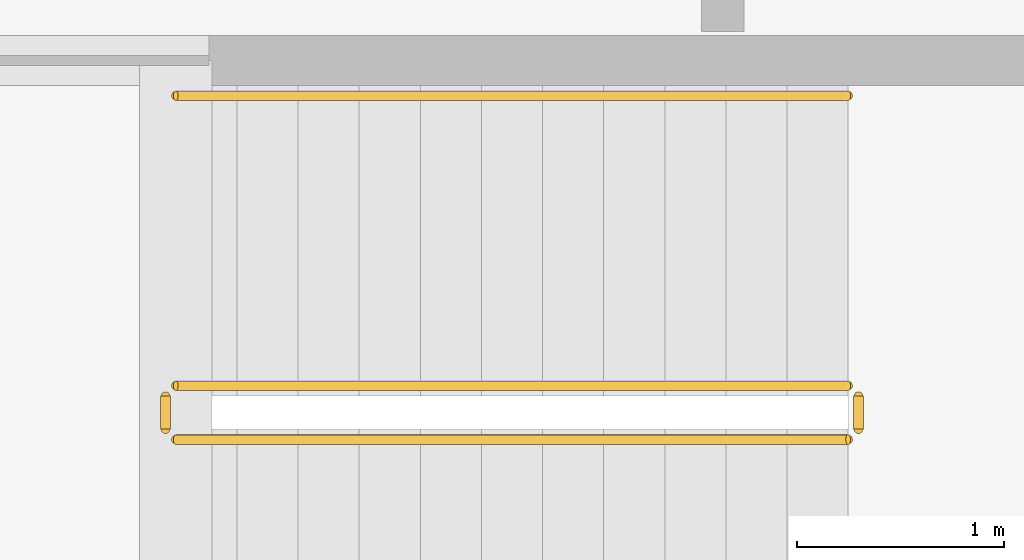
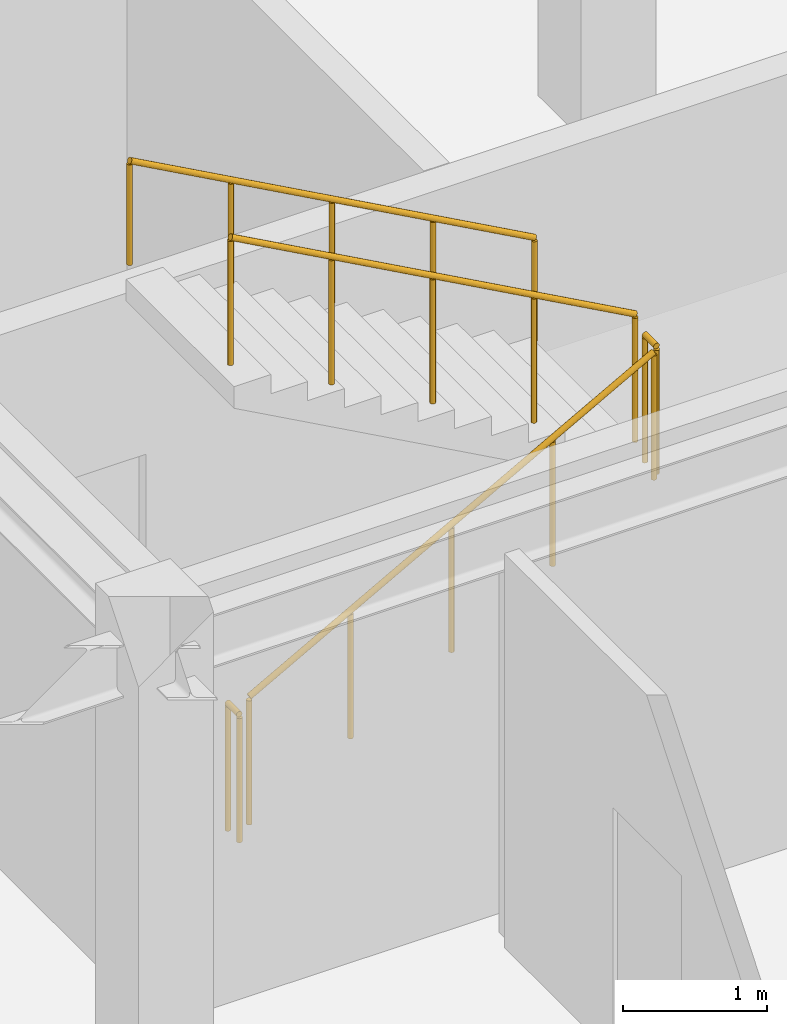
# One storey, part 64 of 70: 5 railings.
"""IFC4 building model written with IfcOpenShell, lengths in metres."""

from ifc_helpers import new_model, si_unit, direction, frame, origin, origin_2d, place, context, subcontext, project, spatial, circle, extrude, material, type_object, element, save


model = new_model("IFC4")

# Units and contexts
model_context = context("Model", 3, precision=1e-05, world=origin(), true_north=direction((0.0, 1.0)))
body_context = subcontext(model_context, "Body", "Model", "MODEL_VIEW")
ifc_project = project(units=[si_unit("LENGTHUNIT", "METRE"), si_unit("AREAUNIT", "SQUARE_METRE"), si_unit("VOLUMEUNIT", "CUBIC_METRE"), si_unit("PLANEANGLEUNIT", "RADIAN"), si_unit("MASSUNIT", "GRAM", prefix="KILO")], contexts=[model_context])

# Site, building, storey
site_placement = place(None, origin())
site = spatial("IfcSite", under=ifc_project, at=site_placement, CompositionType="ELEMENT")
building_placement = place(site_placement, origin())
building = spatial("IfcBuilding", under=site, at=building_placement, Name="Bramfleet General Hospital", CompositionType="ELEMENT")
storey_placement = place(building_placement, frame((0.0, 0.0, 22.5)))
storey = spatial("IfcBuildingStorey", under=building, at=storey_placement, Name="L05", CompositionType="ELEMENT", Elevation=22.5)

# Railings
ifc_material_1 = material(Name="Powder-coated steel stair balustrade", Category="steel")
railing_type_1 = type_object("IfcRailingType", Name="RAIL-ST-GUARD", PredefinedType="GUARDRAIL", material=ifc_material_1)
railing_1_placement = place(storey_placement, frame((102.639892578125, 69.070068359375, 0.16259765625)))
element("IfcRailing", 1, at=railing_1_placement, inside=storey, type_object=railing_type_1, Name="L05 ST-C11 stair guard 1", PredefinedType="GUARDRAIL", context=body_context, shape_type="SweptSolid", body=[
    extrude(circle(Radius=0.02392578125, at=origin_2d()), frame((0.0, 0.0, 1.076171875), z_axis=(0.875926352668, 0.0, 0.482444841098), x_axis=(0.0, 1.0, 0.0)), (0.0, 0.0, 1.0), 3.704833984375),
    extrude(circle(Radius=0.02099609375, at=origin_2d()), origin(), (0.0, 0.0, 1.0), 1.052001953125),
    extrude(circle(Radius=0.02099609375, at=origin_2d()), frame((0.811279296875, 0.0, 0.44677734375)), (0.0, 0.0, 1.0), 1.052001953125),
    extrude(circle(Radius=0.02099609375, at=origin_2d()), frame((1.62255859375, 0.0, 0.8935546875)), (0.0, 0.0, 1.0), 1.052001953125),
    extrude(circle(Radius=0.02099609375, at=origin_2d()), frame((2.433837890625, 0.0, 1.340576171875)), (0.0, 0.0, 1.0), 1.052001953125),
    extrude(circle(Radius=0.02099609375, at=origin_2d()), frame((3.2451171875, 0.0, 1.787353515625)), (0.0, 0.0, 1.0), 1.052001953125),
])
railing_2_placement = place(storey_placement, frame((105.93505859375, 69.1201171875, 1.949951171875)))
element("IfcRailing", 2, at=railing_2_placement, inside=storey, type_object=railing_type_1, Name="L05 ST-C11 stair guard 2", PredefinedType="GUARDRAIL", context=body_context, shape_type="SweptSolid", body=[
    extrude(circle(Radius=0.02392578125, at=origin_2d()), frame((0.0, 0.0, 1.076171875), z_axis=(0.0, 1.0, 0.0), x_axis=(-1.0, 0.0, 0.0)), (0.0, 0.0, 1.0), 0.159912109375),
    extrude(circle(Radius=0.02099609375, at=origin_2d()), origin(), (0.0, 0.0, 1.0), 1.052001953125),
    extrude(circle(Radius=0.02099609375, at=origin_2d()), frame((0.0, 0.159912109375, 0.0)), (0.0, 0.0, 1.0), 1.052001953125),
])
railing_3_placement = place(storey_placement, frame((105.885009765625, 69.330078125, 2.112548828125)))
element("IfcRailing", 3, at=railing_3_placement, inside=storey, type_object=railing_type_1, Name="L05 ST-C11 stair guard 3", PredefinedType="GUARDRAIL", context=body_context, shape_type="SweptSolid", body=[
    extrude(circle(Radius=0.02392578125, at=origin_2d()), frame((0.0, 0.0, 1.076171875), z_axis=(-0.875926352668, 0.0, 0.482444841098), x_axis=(0.0, -1.0, 0.0)), (0.0, 0.0, 1.0), 3.704833984375),
    extrude(circle(Radius=0.02099609375, at=origin_2d()), origin(), (0.0, 0.0, 1.0), 1.052001953125),
    extrude(circle(Radius=0.02099609375, at=origin_2d()), frame((-0.811279296875, 0.0, 0.44677734375)), (0.0, 0.0, 1.0), 1.052001953125),
    extrude(circle(Radius=0.02099609375, at=origin_2d()), frame((-1.62255859375, 0.0, 0.8935546875)), (0.0, 0.0, 1.0), 1.052001953125),
    extrude(circle(Radius=0.02099609375, at=origin_2d()), frame((-2.433837890625, 0.0, 1.340576171875)), (0.0, 0.0, 1.0), 1.052001953125),
    extrude(circle(Radius=0.02099609375, at=origin_2d()), frame((-3.2451171875, 0.0, 1.787353515625)), (0.0, 0.0, 1.0), 1.052001953125),
])
railing_4_placement = place(storey_placement, frame((102.590087890625, 69.1201171875, 0.0)))
element("IfcRailing", 4, at=railing_4_placement, inside=storey, type_object=railing_type_1, Name="L05 ST-C11 stair guard 4", PredefinedType="GUARDRAIL", context=body_context, shape_type="SweptSolid", body=[
    extrude(circle(Radius=0.02392578125, at=origin_2d()), frame((0.0, 0.0, 1.076171875), z_axis=(0.0, 1.0, 0.0), x_axis=(-1.0, 0.0, 0.0)), (0.0, 0.0, 1.0), 0.159912109375),
    extrude(circle(Radius=0.02099609375, at=origin_2d()), origin(), (0.0, 0.0, 1.0), 1.052001953125),
    extrude(circle(Radius=0.02099609375, at=origin_2d()), frame((0.0, 0.159912109375, 0.0)), (0.0, 0.0, 1.0), 1.052001953125),
])
ifc_material_2 = material(Name="Stainless steel 1.4301 stair handrail", Category="steel")
railing_type_2 = type_object("IfcRailingType", Name="RAIL-ST-HND", PredefinedType="HANDRAIL", material=ifc_material_2)
railing_5_placement = place(storey_placement, frame((105.885009765625, 70.72998046875, 2.112548828125)))
element("IfcRailing", 5, at=railing_5_placement, inside=storey, type_object=railing_type_2, Name="L05 ST-C11 stair handrail 2", PredefinedType="HANDRAIL", context=body_context, shape_type="SweptSolid", body=[
    extrude(circle(Radius=0.02392578125, at=origin_2d()), frame((0.0, 0.0, 0.8759765625), z_axis=(-0.875926352668, 0.0, 0.482444841098), x_axis=(0.0, -1.0, 0.0)), (0.0, 0.0, 1.0), 3.704833984375),
    extrude(circle(Radius=0.02099609375, at=origin_2d()), origin(), (0.0, 0.0, 1.0), 0.851806640625),
    extrude(circle(Radius=0.02099609375, at=origin_2d()), frame((-0.811279296875, 0.0, 0.44677734375)), (0.0, 0.0, 1.0), 0.851806640625),
    extrude(circle(Radius=0.02099609375, at=origin_2d()), frame((-1.62255859375, 0.0, 0.8935546875)), (0.0, 0.0, 1.0), 0.851806640625),
    extrude(circle(Radius=0.02099609375, at=origin_2d()), frame((-2.433837890625, 0.0, 1.340576171875)), (0.0, 0.0, 1.0), 0.851806640625),
    extrude(circle(Radius=0.02099609375, at=origin_2d()), frame((-3.2451171875, 0.0, 1.787353515625)), (0.0, 0.0, 1.0), 0.851806640625),
])

save(model, "model.ifc")
